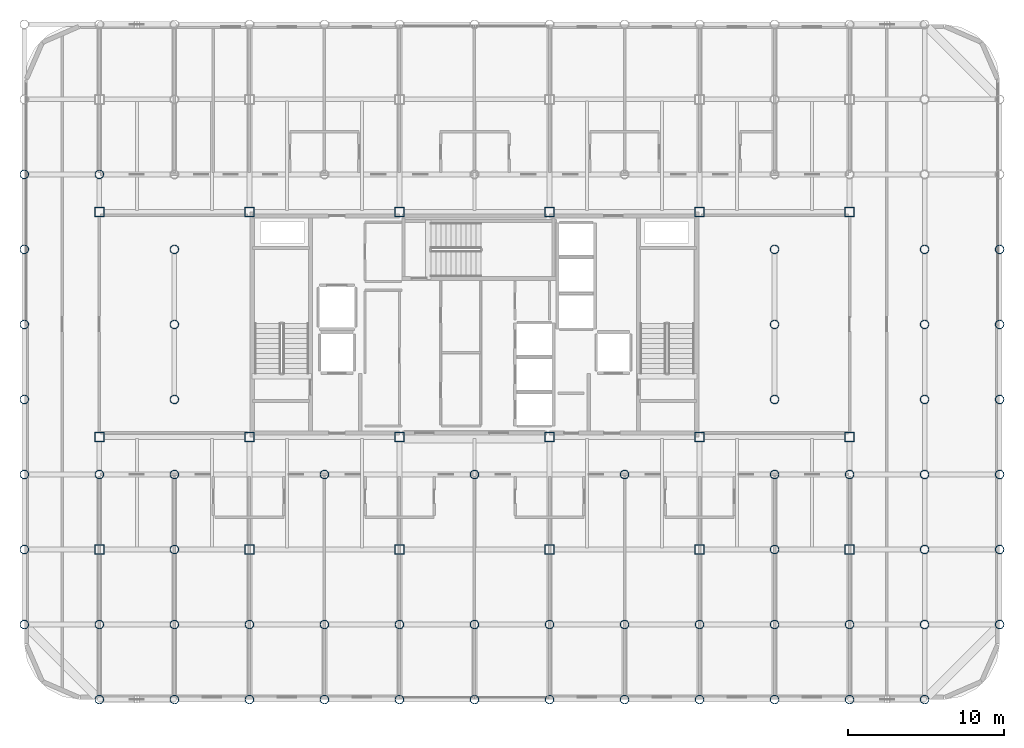
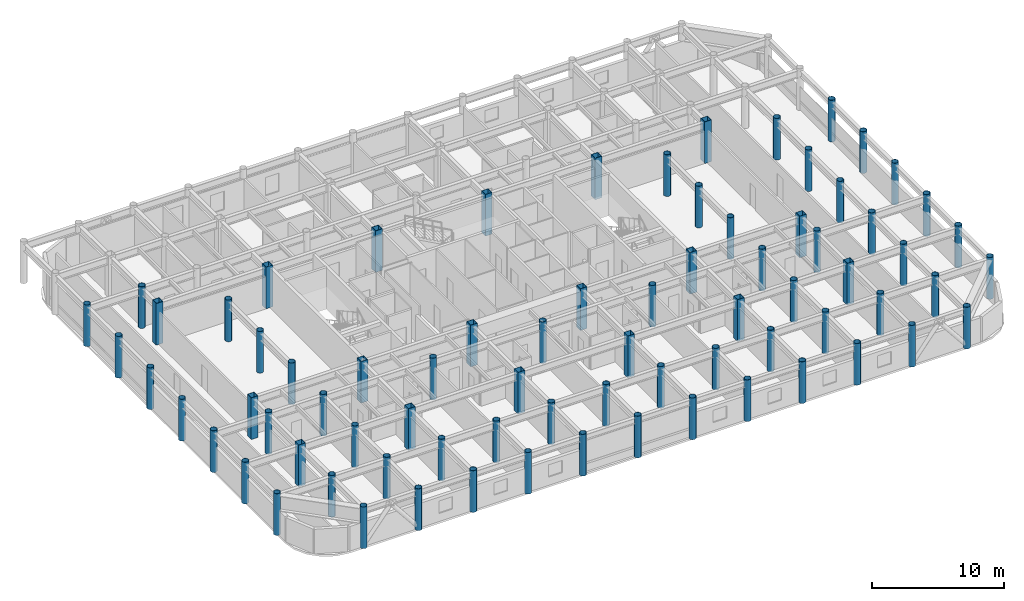
# One storey, part 1 of 22: 76 columns.
"""IFC4 building model written with IfcOpenShell, lengths in metres."""

from ifc_helpers import new_model, si_unit, direction, frame, origin, origin_2d, place, context, subcontext, project, spatial, hollow_rectangle, hollow_circle, extrude, material, material_profile, profile_set, type_object, element, save


model = new_model("IFC4")

# Units and contexts
model_context = context("Model", 3, precision=1e-05, world=origin(), true_north=direction((0.0, 1.0)))
body_context = subcontext(model_context, "Body", "Model", "MODEL_VIEW")
ifc_project = project(units=[si_unit("LENGTHUNIT", "METRE"), si_unit("AREAUNIT", "SQUARE_METRE"), si_unit("VOLUMEUNIT", "CUBIC_METRE"), si_unit("PLANEANGLEUNIT", "RADIAN"), si_unit("MASSUNIT", "GRAM", prefix="KILO")], contexts=[model_context])

# Site, building, storey
site_placement = place(None, origin())
site = spatial("IfcSite", under=ifc_project, at=site_placement, CompositionType="ELEMENT")
building_placement = place(site_placement, origin())
building = spatial("IfcBuilding", under=site, at=building_placement, Name="Kallvorn Hotel Tower", CompositionType="ELEMENT")
storey_placement = place(building_placement, frame((0.0, 0.0, 199.199951171875)))
storey = spatial("IfcBuildingStorey", under=building, at=storey_placement, Name="L49", CompositionType="ELEMENT", Elevation=199.199951171875)

# Columns
ifc_material_1 = material(Name="Structural steel S355J2H", Category="steel")
ifc_material_profile_1 = material_profile(ifc_material_1, hollow_circle(Radius=0.279541015625, WallThickness=0.02490234375, at=origin_2d()), Name="CHS 559x25")
ifc_profile_set_1 = profile_set([ifc_material_profile_1], Name="Structural steel S355J2H")
column_type_1 = type_object("IfcColumnType", Name="COL_CHS_559", PredefinedType="COLUMN", material=ifc_profile_set_1)
for number, where, z_axis, x_axis, name in (
    (1, (-28.800048828125, -19.199951171875, 0.0), (0.0, 0.0, 1.0), (1.0, 0.0, 0.0), "L49 Exoskeleton Column EC01"),
    (2, (-28.800048828125, -14.39990234375, 0.0), (0.0, 0.0, 1.0), (1.0, 0.0, 0.0), "L49 Exoskeleton Column EC02"),
    (3, (-28.800048828125, -9.60009765625, 0.0), (0.0, 0.0, 1.0), (1.0, 0.0, 0.0), "L49 Exoskeleton Column EC03"),
    (4, (-28.800048828125, -4.800048828125, 0.0), (0.0, 0.0, 1.0), (1.0, 0.0, 0.0), "L49 Exoskeleton Column EC04"),
    (5, (-28.800048828125, 0.0, 0.0), (0.0, 0.0, 1.0), (1.0, 0.0, 0.0), "L49 Exoskeleton Column EC05"),
    (6, (-28.800048828125, 4.800048828125, 0.0), (0.0, 0.0, 1.0), (1.0, 0.0, 0.0), "L49 Exoskeleton Column EC06"),
    (7, (-28.800048828125, 9.60009765625, 0.0), (0.0, 0.0, 1.0), (1.0, 0.0, 0.0), "L49 Exoskeleton Column EC07"),
    (8, (-24.0, -24.0, 0.0), (0.0, 0.0, 1.0), (1.0, 0.0, 0.0), "L49 Exoskeleton Column EC10"),
    (9, (-24.0, -19.199951171875, 0.0), (0.0, 0.0, 1.0), (1.0, 0.0, 0.0), "L49 Exoskeleton Column EC11"),
    (10, (-24.0, -9.60009765625, 0.0), (0.0, 0.0, 1.0), (1.0, 0.0, 0.0), "L49 Exoskeleton Column EC12"),
    (11, (-24.0, 9.60009765625, 0.0), (0.0, 0.0, 1.0), (1.0, 0.0, 0.0), "L49 Exoskeleton Column EC13"),
    (12, (-19.199951171875, -24.0, 0.0), (0.0, 0.0, 1.0), (1.0, 0.0, 0.0), "L49 Exoskeleton Column EC15"),
    (13, (-19.199951171875, -19.199951171875, 0.0), (0.0, 0.0, 1.0), (1.0, 0.0, 0.0), "L49 Exoskeleton Column EC16"),
    (14, (-19.199951171875, -14.39990234375, 0.0), (0.0, 0.0, 1.0), (1.0, 0.0, 0.0), "L49 Exoskeleton Column EC17"),
    (15, (-19.199951171875, -9.60009765625, 0.0), (0.0, 0.0, 1.0), (1.0, 0.0, 0.0), "L49 Exoskeleton Column EC18"),
    (16, (-19.199951171875, -4.800048828125, 0.0), (0.0, 0.0, 1.0), (1.0, 0.0, 0.0), "L49 Exoskeleton Column EC19"),
    (17, (-19.199951171875, 0.0, 0.0), (0.0, 0.0, 1.0), (1.0, 0.0, 0.0), "L49 Exoskeleton Column EC20"),
    (18, (-19.199951171875, 4.800048828125, 0.0), (0.0, 0.0, 1.0), (1.0, 0.0, 0.0), "L49 Exoskeleton Column EC21"),
    (19, (-14.39990234375, -24.0, 0.0), (0.0, 0.0, 1.0), (1.0, 0.0, 0.0), "L49 Exoskeleton Column EC25"),
    (20, (-14.39990234375, -19.199951171875, 0.0), (0.0, 0.0, 1.0), (1.0, 0.0, 0.0), "L49 Exoskeleton Column EC26"),
    (21, (-9.60009765625, -24.0, 0.0), (0.0, 0.0, 1.0), (1.0, 0.0, 0.0), "L49 Exoskeleton Column EC28"),
    (22, (-9.60009765625, -19.199951171875, 0.0), (0.0, 0.0, 1.0), (1.0, 0.0, 0.0), "L49 Exoskeleton Column EC29"),
    (23, (-9.60009765625, -9.60009765625, 0.0), (0.0, 0.0, 1.0), (1.0, 0.0, 0.0), "L49 Exoskeleton Column EC30"),
    (24, (-4.800048828125, -24.0, 0.0), (0.0, 0.0, 1.0), (1.0, 0.0, 0.0), "L49 Exoskeleton Column EC33"),
    (25, (-4.800048828125, -19.199951171875, 0.0), (0.0, 0.0, 1.0), (1.0, 0.0, 0.0), "L49 Exoskeleton Column EC34"),
    (26, (0.0, -24.0, 0.0), (0.0, 0.0, 1.0), (1.0, 0.0, 0.0), "L49 Exoskeleton Column EC36"),
    (27, (0.0, -19.199951171875, 0.0), (0.0, 0.0, 1.0), (1.0, 0.0, 0.0), "L49 Exoskeleton Column EC37"),
    (28, (0.0, -9.60009765625, 0.0), (0.0, 0.0, 1.0), (1.0, 0.0, 0.0), "L49 Exoskeleton Column EC38"),
    (29, (4.800048828125, -24.0, 0.0), (0.0, 0.0, 1.0), (1.0, 0.0, 0.0), "L49 Exoskeleton Column EC41"),
    (30, (4.800048828125, -19.199951171875, 0.0), (0.0, 0.0, 1.0), (1.0, 0.0, 0.0), "L49 Exoskeleton Column EC42"),
    (31, (9.60009765625, -24.0, 0.0), (0.0, 0.0, 1.0), (1.0, 0.0, 0.0), "L49 Exoskeleton Column EC44"),
    (32, (9.60009765625, -19.199951171875, 0.0), (0.0, 0.0, 1.0), (1.0, 0.0, 0.0), "L49 Exoskeleton Column EC45"),
    (33, (9.60009765625, -9.60009765625, 0.0), (0.0, 0.0, 1.0), (1.0, 0.0, 0.0), "L49 Exoskeleton Column EC46"),
    (34, (14.39990234375, -24.0, 0.0), (0.0, 0.0, 1.0), (1.0, 0.0, 0.0), "L49 Exoskeleton Column EC49"),
    (35, (14.39990234375, -19.199951171875, 0.0), (0.0, 0.0, 1.0), (1.0, 0.0, 0.0), "L49 Exoskeleton Column EC50"),
    (36, (19.199951171875, -24.0, 0.0), (0.0, 0.0, 1.0), (1.0, 0.0, 0.0), "L49 Exoskeleton Column EC52"),
    (37, (19.199951171875, -19.199951171875, 0.0), (0.0, 0.0, 1.0), (1.0, 0.0, 0.0), "L49 Exoskeleton Column EC53"),
    (38, (19.199951171875, -14.39990234375, 0.0), (0.0, 0.0, 1.0), (1.0, 0.0, 0.0), "L49 Exoskeleton Column EC54"),
    (39, (19.199951171875, -9.60009765625, 0.0), (0.0, 0.0, 1.0), (1.0, 0.0, 0.0), "L49 Exoskeleton Column EC55"),
    (40, (19.199951171875, -4.800048828125, 0.0), (0.0, 0.0, 1.0), (1.0, 0.0, 0.0), "L49 Exoskeleton Column EC56"),
    (41, (19.199951171875, 0.0, 0.0), (0.0, 0.0, 1.0), (1.0, 0.0, 0.0), "L49 Exoskeleton Column EC57"),
    (42, (19.199951171875, 4.800048828125, 0.0), (0.0, 0.0, 1.0), (1.0, 0.0, 0.0), "L49 Exoskeleton Column EC58"),
    (43, (24.0, -24.0, 0.0), (0.0, 0.0, 1.0), (1.0, 0.0, 0.0), "L49 Exoskeleton Column EC62"),
    (44, (24.0, -19.199951171875, 0.0), (0.0, 0.0, 1.0), (1.0, 0.0, 0.0), "L49 Exoskeleton Column EC63"),
    (45, (24.0, -9.60009765625, 0.0), (0.0, 0.0, 1.0), (1.0, 0.0, 0.0), "L49 Exoskeleton Column EC64"),
    (46, (28.800048828125, -24.0, 0.0), (0.0, 0.0, 1.0), (1.0, 0.0, 0.0), "L49 Exoskeleton Column EC67"),
    (47, (28.800048828125, -19.199951171875, 0.0), (0.0, 0.0, 1.0), (1.0, 0.0, 0.0), "L49 Exoskeleton Column EC68"),
    (48, (28.800048828125, -14.39990234375, 0.0), (0.0, 0.0, 1.0), (1.0, 0.0, 0.0), "L49 Exoskeleton Column EC69"),
    (49, (28.800048828125, -9.60009765625, 0.0), (0.0, 0.0, 1.0), (1.0, 0.0, 0.0), "L49 Exoskeleton Column EC70"),
    (50, (28.800048828125, -4.800048828125, 0.0), (0.0, 0.0, 1.0), (1.0, 0.0, 0.0), "L49 Exoskeleton Column EC71"),
    (51, (28.800048828125, 0.0, 0.0), (0.0, 0.0, 1.0), (1.0, 0.0, 0.0), "L49 Exoskeleton Column EC72"),
    (52, (28.800048828125, 4.800048828125, 0.0), (0.0, 0.0, 1.0), (1.0, 0.0, 0.0), "L49 Exoskeleton Column EC73"),
    (53, (33.60009765625, -19.199951171875, 0.0), (0.0, 0.0, 1.0), (1.0, 0.0, 0.0), "L49 Exoskeleton Column EC77"),
    (54, (33.60009765625, -14.39990234375, 0.0), (0.0, 0.0, 1.0), (1.0, 0.0, 0.0), "L49 Exoskeleton Column EC78"),
    (55, (33.60009765625, -9.60009765625, 0.0), (0.0, 0.0, 1.0), (1.0, 0.0, 0.0), "L49 Exoskeleton Column EC79"),
    (56, (33.60009765625, -4.800048828125, 0.0), (0.0, 0.0, 1.0), (1.0, 0.0, 0.0), "L49 Exoskeleton Column EC80"),
    (57, (33.60009765625, 0.0, 0.0), (0.0, 0.0, 1.0), (1.0, 0.0, 0.0), "L49 Exoskeleton Column EC81"),
    (58, (33.60009765625, 4.800048828125, 0.0), (0.0, 0.0, 1.0), (1.0, 0.0, 0.0), "L49 Exoskeleton Column EC82"),
):
    element("IfcColumn", number, at=place(storey_placement, frame(where, z_axis=z_axis, x_axis=x_axis)), inside=storey, type_object=column_type_1, Name=name, PredefinedType="COLUMN", context=body_context, shape_type="SweptSolid", body=[
        extrude(hollow_circle(Radius=0.279541015625, WallThickness=0.02490234375, at=origin_2d()), origin(), (0.0, 0.0, 1.0), 3.85009765625),
    ])
ifc_material_2 = material(Name="Structural steel S355J2H", Category="steel")
ifc_material_profile_2 = material_profile(ifc_material_2, hollow_rectangle(XDim=0.60009765625, YDim=0.60009765625, WallThickness=0.028076171875, at=origin_2d()), Name="RHS 600x600x28")
ifc_profile_set_2 = profile_set([ifc_material_profile_2], Name="Structural steel S355J2H")
column_type_2 = type_object("IfcColumnType", Name="COL_RHS_600", PredefinedType="COLUMN", material=ifc_profile_set_2)
for number, where, z_axis, x_axis, name in (
    (59, (-24.0, -14.39990234375, 0.0), (0.0, 0.0, 1.0), (1.0, 0.0, 0.0), "L49 Inner Column IC01"),
    (60, (-24.0, -7.199951171875, 0.0), (0.0, 0.0, 1.0), (1.0, 0.0, 0.0), "L49 Inner Column IC02"),
    (61, (-24.0, 7.199951171875, 0.0), (0.0, 0.0, 1.0), (1.0, 0.0, 0.0), "L49 Inner Column IC03"),
    (62, (-14.39990234375, -14.39990234375, 0.0), (0.0, 0.0, 1.0), (1.0, 0.0, 0.0), "L49 Inner Column IC05"),
    (63, (-14.39990234375, -7.199951171875, 0.0), (0.0, 0.0, 1.0), (1.0, 0.0, 0.0), "L49 Inner Column IC06"),
    (64, (-14.39990234375, 7.199951171875, 0.0), (0.0, 0.0, 1.0), (1.0, 0.0, 0.0), "L49 Inner Column IC07"),
    (65, (-4.800048828125, -14.39990234375, 0.0), (0.0, 0.0, 1.0), (1.0, 0.0, 0.0), "L49 Inner Column IC09"),
    (66, (-4.800048828125, -7.199951171875, 0.0), (0.0, 0.0, 1.0), (1.0, 0.0, 0.0), "L49 Inner Column IC10"),
    (67, (-4.800048828125, 7.199951171875, 0.0), (0.0, 0.0, 1.0), (1.0, 0.0, 0.0), "L49 Inner Column IC11"),
    (68, (4.800048828125, -14.39990234375, 0.0), (0.0, 0.0, 1.0), (1.0, 0.0, 0.0), "L49 Inner Column IC13"),
    (69, (4.800048828125, -7.199951171875, 0.0), (0.0, 0.0, 1.0), (1.0, 0.0, 0.0), "L49 Inner Column IC14"),
    (70, (4.800048828125, 7.199951171875, 0.0), (0.0, 0.0, 1.0), (1.0, 0.0, 0.0), "L49 Inner Column IC15"),
    (71, (14.39990234375, -14.39990234375, 0.0), (0.0, 0.0, 1.0), (1.0, 0.0, 0.0), "L49 Inner Column IC17"),
    (72, (14.39990234375, -7.199951171875, 0.0), (0.0, 0.0, 1.0), (1.0, 0.0, 0.0), "L49 Inner Column IC18"),
    (73, (14.39990234375, 7.199951171875, 0.0), (0.0, 0.0, 1.0), (1.0, 0.0, 0.0), "L49 Inner Column IC19"),
    (74, (24.0, -14.39990234375, 0.0), (0.0, 0.0, 1.0), (1.0, 0.0, 0.0), "L49 Inner Column IC21"),
    (75, (24.0, -7.199951171875, 0.0), (0.0, 0.0, 1.0), (1.0, 0.0, 0.0), "L49 Inner Column IC22"),
    (76, (24.0, 7.199951171875, 0.0), (0.0, 0.0, 1.0), (1.0, 0.0, 0.0), "L49 Inner Column IC23"),
):
    element("IfcColumn", number, at=place(storey_placement, frame(where, z_axis=z_axis, x_axis=x_axis)), inside=storey, type_object=column_type_2, Name=name, PredefinedType="COLUMN", context=body_context, shape_type="SweptSolid", body=[
        extrude(hollow_rectangle(XDim=0.60009765625, YDim=0.60009765625, WallThickness=0.028076171875, at=origin_2d()), origin(), (0.0, 0.0, 1.0), 3.85009765625),
    ])

save(model, "model.ifc")
